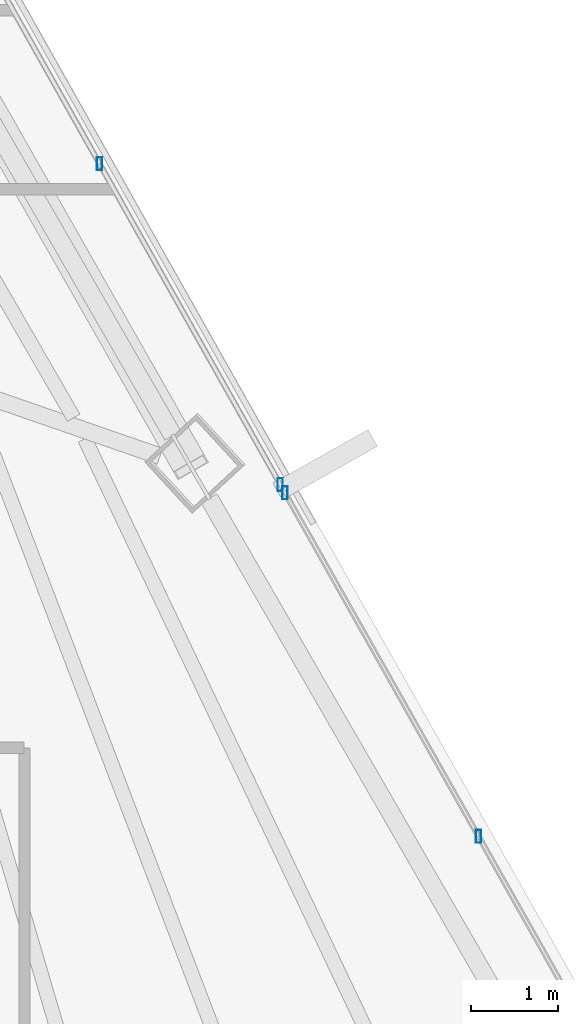
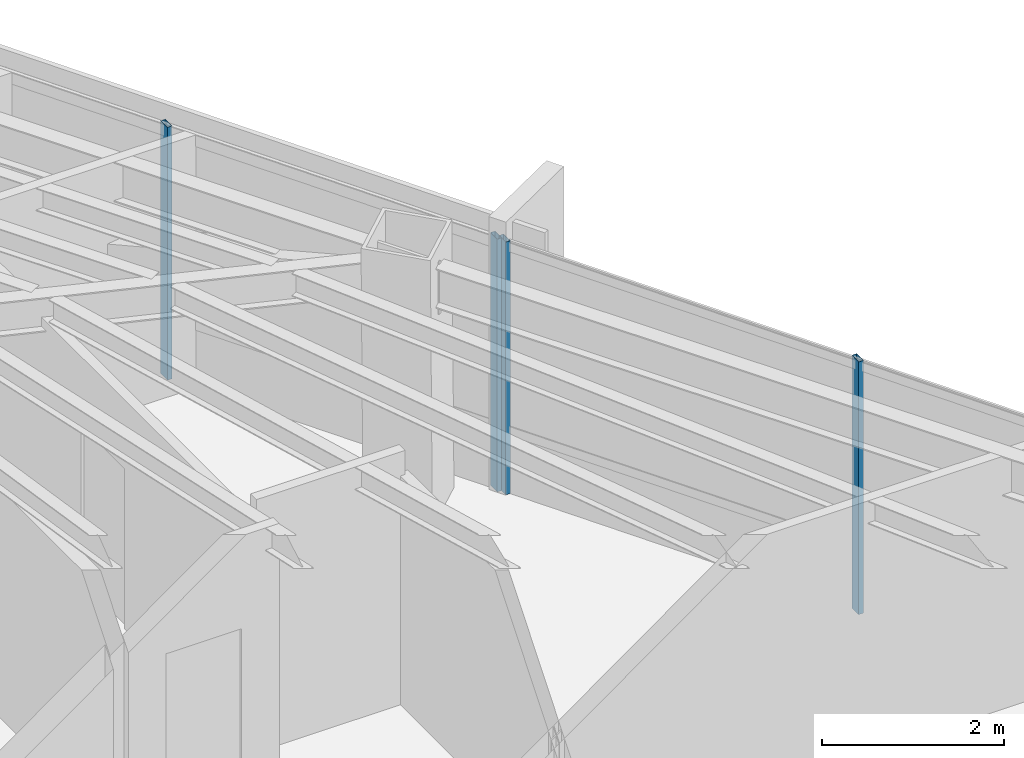
# One storey, part 24 of 42: 4 members, 2 elements without a shape of their own.
"""IFC4 building model written with IfcOpenShell, lengths in metres."""

from ifc_helpers import new_model, si_unit, direction, frame, origin, origin_2d, place, context, subcontext, project, spatial, hollow_rectangle, extrude, source, transform, mapped, material, material_profile, profile_set, type_object, type_shapes, element, aggregate, save


model = new_model("IFC4")

# Units and contexts
model_context = context("Model", 3, precision=1e-05, world=origin(), true_north=direction((0.0, 1.0)))
body_context = subcontext(model_context, "Body", "Model", "MODEL_VIEW")
ifc_project = project(units=[si_unit("LENGTHUNIT", "METRE"), si_unit("AREAUNIT", "SQUARE_METRE"), si_unit("VOLUMEUNIT", "CUBIC_METRE"), si_unit("PLANEANGLEUNIT", "RADIAN"), si_unit("MASSUNIT", "GRAM", prefix="KILO")], contexts=[model_context])

# Site, building, storey
site_placement = place(None, origin())
site = spatial("IfcSite", under=ifc_project, at=site_placement, CompositionType="ELEMENT")
building_placement = place(site_placement, origin())
building = spatial("IfcBuilding", under=site, at=building_placement, Name="Caelisora Broadcast Tower", CompositionType="ELEMENT")
storey_placement = place(building_placement, frame((0.0, 0.0, 202.300048828125)))
storey = spatial("IfcBuildingStorey", under=building, at=storey_placement, Name="L53", CompositionType="ELEMENT", Elevation=202.300048828125)

# Curtain wall, members
ifc_material_1 = material(Name="Unitised Aluminium Insulated Shadow-Box Spandrel Curtain Wall", Category="aluminium")
curtain_wall_type_1 = type_object("IfcCurtainWallType", Name="CW-SP2", PredefinedType="NOTDEFINED", material=ifc_material_1)
curtain_wall_1_placement = place(storey_placement, origin())
curtain_wall_1 = element("IfcCurtainWall", 1, at=curtain_wall_1_placement, inside=storey, type_object=curtain_wall_type_1, Name="L53 curtain wall CW-SP2", PredefinedType="NOTDEFINED")
ifc_material_2 = material(Name="Aluminium 6063-T6 Anodised Terracotta Bronze", Category="aluminium")
ifc_material_profile = material_profile(ifc_material_2, hollow_rectangle(XDim=0.06005859375, YDim=0.14990234375, WallThickness=0.00341796875, at=origin_2d()), Name="Aluminium 6063-T6 Anodised Terracotta Bronze")
ifc_profile_set = profile_set([ifc_material_profile], Name="Aluminium 6063-T6 Anodised Terracotta Bronze")
member_type = type_object("IfcMemberType", Name="CWM-03", PredefinedType="MULLION", material=ifc_profile_set)
shared_shape = source(origin(), body_context, "Body", "SweptSolid", [
    extrude(hollow_rectangle(XDim=0.06005859375, YDim=0.14990234375, WallThickness=0.00341796875, at=origin_2d()), origin(), (0.0, 0.0, 1.0), 3.39990234375),
])
type_shapes(member_type, [shared_shape])
member_1_placement = place(storey_placement, frame((53.359130859375, 30.392333984375, 0.0), z_axis=(0.0, 0.0, 1.0), x_axis=(1.0, 0.0, 0.0)))
member_1 = element("IfcMember", 2, at=member_1_placement, type_object=member_type, Name="L53-CW-B02 mullion #2", PredefinedType="MULLION", context=body_context, shape_type="MappedRepresentation", body=[
    mapped(shared_shape, transform((0.0, 0.0, 0.0), scale=1.0)),
])
member_2_placement = place(storey_placement, frame((55.431396484375, 26.715087890625, 0.0), z_axis=(0.0, 0.0, 1.0), x_axis=(1.0, 0.0, 0.0)))
member_2 = element("IfcMember", 3, at=member_2_placement, type_object=member_type, Name="L53-CW-B02 mullion #3", PredefinedType="MULLION", context=body_context, shape_type="MappedRepresentation", body=[
    mapped(shared_shape, transform((0.0, 0.0, 0.0), scale=1.0)),
])
aggregate(curtain_wall_1, [member_1, member_2])

ifc_material_3 = material(Name="Unitised Aluminium and Low-E Glass Curtain Wall", Category="glass")
curtain_wall_type_2 = type_object("IfcCurtainWallType", Name="CW-Z4", PredefinedType="NOTDEFINED", material=ifc_material_3)
curtain_wall_2_placement = place(storey_placement, origin())
curtain_wall_2 = element("IfcCurtainWall", 4, at=curtain_wall_2_placement, inside=storey, type_object=curtain_wall_type_2, Name="L53 curtain wall CW-Z4", PredefinedType="NOTDEFINED")
member_3_placement = place(storey_placement, frame((55.4853515625, 26.619384765625, 0.0), z_axis=(0.0, 0.0, 1.0), x_axis=(1.0, 0.0, 0.0)))
member_3 = element("IfcMember", 5, at=member_3_placement, type_object=member_type, Name="L53-CW-B03 mullion #0", PredefinedType="MULLION", context=body_context, shape_type="MappedRepresentation", body=[
    mapped(shared_shape, transform((0.0, 0.0, 0.0), scale=1.0)),
])
member_4_placement = place(storey_placement, frame((57.703125, 22.68359375, 0.0), z_axis=(0.0, 0.0, 1.0), x_axis=(1.0, 0.0, 0.0)))
member_4 = element("IfcMember", 6, at=member_4_placement, type_object=member_type, Name="L53-CW-B03 mullion #1", PredefinedType="MULLION", context=body_context, shape_type="MappedRepresentation", body=[
    mapped(shared_shape, transform((0.0, 0.0, 0.0), scale=1.0)),
])
aggregate(curtain_wall_2, [member_3, member_4])

save(model, "model.ifc")
